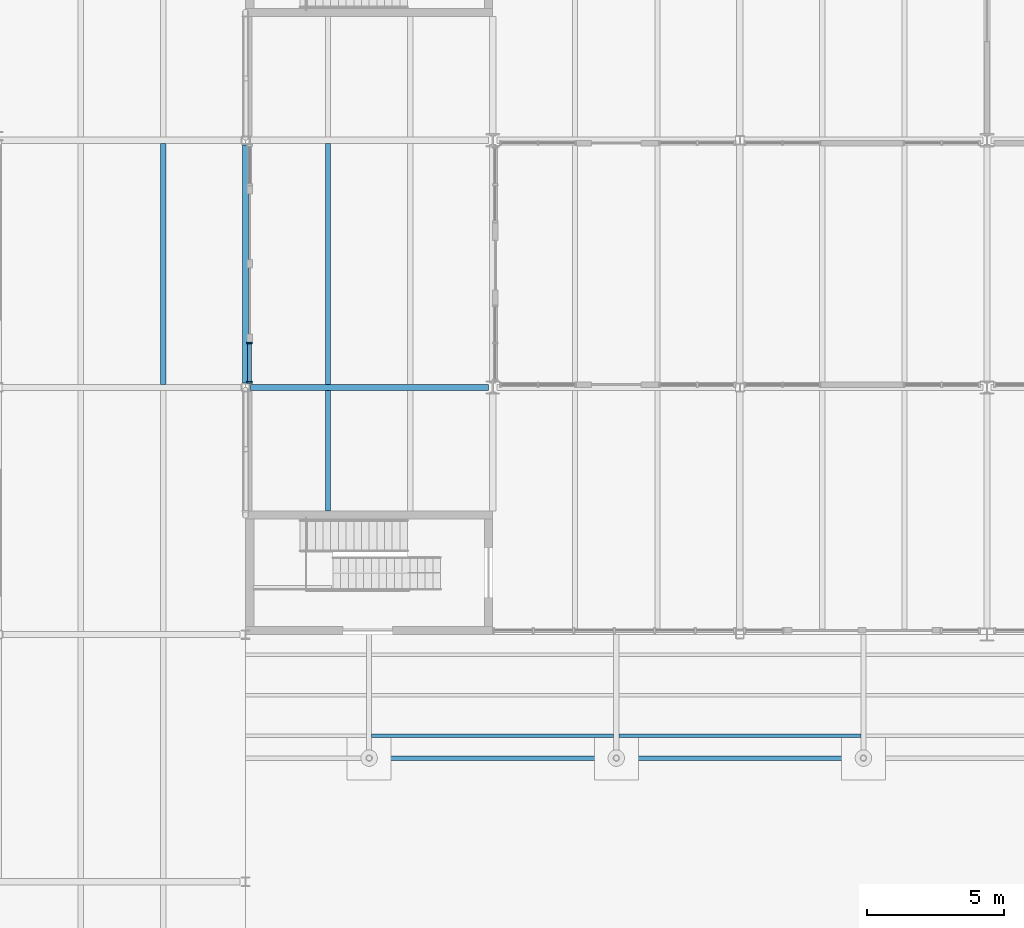
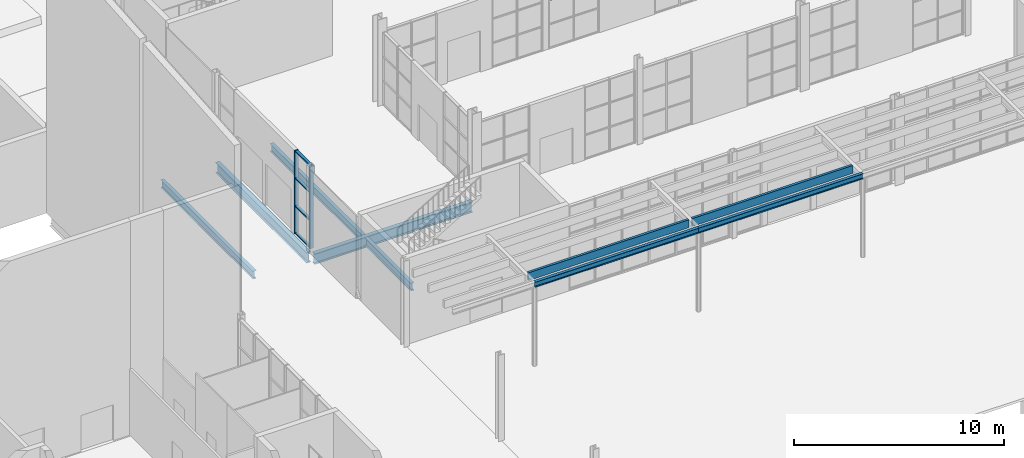
# One storey, part 12 of 63: 9 beams, 6 members, 1 element without a shape of its own.
"""IFC4 building model written with IfcOpenShell, lengths in metres."""

from ifc_helpers import new_model, si_unit, direction, frame, origin, origin_2d, place, context, subcontext, project, spatial, rectangle, i_section, extrude, material, layer, layer_set, material_profile, profile_set, type_object, element, aggregate, save


model = new_model("IFC4")

# Units and contexts
model_context = context("Model", 3, precision=1e-05, world=origin(), true_north=direction((0.0, 1.0)))
body_context = subcontext(model_context, "Body", "Model", "MODEL_VIEW")
ifc_project = project(units=[si_unit("LENGTHUNIT", "METRE"), si_unit("AREAUNIT", "SQUARE_METRE"), si_unit("VOLUMEUNIT", "CUBIC_METRE"), si_unit("PLANEANGLEUNIT", "RADIAN"), si_unit("MASSUNIT", "GRAM", prefix="KILO")], contexts=[model_context])

# Site, building, storey
site_placement = place(None, origin())
site = spatial("IfcSite", under=ifc_project, at=site_placement, CompositionType="ELEMENT")
building_placement = place(site_placement, origin())
building = spatial("IfcBuilding", under=site, at=building_placement, Name="Halyard Row Museum", CompositionType="ELEMENT")
storey_placement = place(building_placement, origin())
storey = spatial("IfcBuildingStorey", under=building, at=storey_placement, Name="L00", CompositionType="ELEMENT", Elevation=0.0)

# Beams
ifc_material_1 = material(Name="Steel Grade 300", Category="steel")
ifc_material_profile_1 = material_profile(ifc_material_1, i_section(OverallWidth=0.166015625, OverallDepth=0.30712890625, WebThickness=0.006591796875, FlangeThickness=0.01171875, FilletRadius=0.011474609375, at=origin_2d()), Name="310UB46.2")
ifc_profile_set_1 = profile_set([ifc_material_profile_1], Name="Steel Grade 300")
beam_type_1 = type_object("IfcBeamType", Name="Canopy edge beam 310UB46.2", PredefinedType="BEAM", material=ifc_profile_set_1)
for number, where, z_axis, x_axis, name in (
    (1, (31.5, 13.5, 4.6962890625), (1.0, 0.0, 0.0), (0.0, 1.0, 0.0), "Canopy edge beam 2"),
    (2, (40.5, 13.5, 4.6962890625), (1.0, 0.0, 0.0), (0.0, 1.0, 0.0), "Canopy edge beam 3"),
):
    element("IfcBeam", number, at=place(storey_placement, frame(where, z_axis=z_axis, x_axis=x_axis)), inside=storey, type_object=beam_type_1, Name=name, PredefinedType="BEAM", context=body_context, shape_type="SweptSolid", body=[
        extrude(i_section(OverallWidth=0.166015625, OverallDepth=0.30712890625, WebThickness=0.006591796875, FlangeThickness=0.01171875, FilletRadius=0.011474609375, at=origin_2d()), origin(), (0.0, 0.0, 1.0), 9.0),
    ])
ifc_material_2 = material(Name="Glulam GL12 radiata pine", Category="wood")
ifc_material_profile_2 = material_profile(ifc_material_2, rectangle(XDim=0.135009765625, YDim=0.449951171875, at=origin_2d()), Name="GL12 135x450")
ifc_profile_set_2 = profile_set([ifc_material_profile_2], Name="Glulam GL12 radiata pine")
beam_type_2 = type_object("IfcBeamType", Name="Canopy soffit joist GL12 135x450", PredefinedType="JOIST", material=ifc_profile_set_2)
for number, where, z_axis, x_axis, name in (
    (3, (31.594970703125, 14.319091796875, 4.625), (1.0, 0.0, 0.0), (0.0, 1.0, 0.0), "Canopy soffit joist 2.1"),
    (4, (40.594970703125, 14.319091796875, 4.625), (1.0, 0.0, 0.0), (0.0, 1.0, 0.0), "Canopy soffit joist 3.1"),
):
    element("IfcBeam", number, at=place(storey_placement, frame(where, z_axis=z_axis, x_axis=x_axis)), inside=storey, type_object=beam_type_2, Name=name, PredefinedType="JOIST", context=body_context, shape_type="SweptSolid", body=[
        extrude(rectangle(XDim=0.135009765625, YDim=0.449951171875, at=origin_2d()), origin(), (0.0, 0.0, 1.0), 8.81005859375),
    ])

# Curtain wall, members
ifc_material_3 = material(Name="Double glazed unit, low-emissivity", Category="glass")
ifc_layer = layer(ifc_material_3, 0.199951171875)
ifc_layer_set = layer_set([ifc_layer], Name="Double glazed unit, low-emissivity")
curtain_wall_type = type_object("IfcCurtainWallType", Name="Curtain wall shopfront 200 deep", PredefinedType="NOTDEFINED", material=ifc_layer_set)
curtain_wall_placement = place(storey_placement, origin())
curtain_wall = element("IfcCurtainWall", 5, at=curtain_wall_placement, inside=storey, type_object=curtain_wall_type, Name="Curtain wall CW012", PredefinedType="NOTDEFINED")
ifc_material_4 = material(Name="Powder-coated aluminium section", Category="aluminium")
ifc_material_profile_3 = material_profile(ifc_material_4, rectangle(XDim=0.199951171875, YDim=0.06494140625, at=origin_2d()), Name="200x65 mullion")
ifc_profile_set_3 = profile_set([ifc_material_profile_3], Name="Powder-coated aluminium section")
member_type_1 = type_object("IfcMemberType", Name="Curtain wall mullion CM1 65 x 200", PredefinedType="MULLION", material=ifc_profile_set_3)
member_1_placement = place(storey_placement, frame((27.14990234375, 28.617431640625, 0.0), z_axis=(0.0, 0.0, 1.0), x_axis=(1.0, 0.0, 0.0)))
member_1 = element("IfcMember", 6, at=member_1_placement, type_object=member_type_1, Name="CW012 mullion 1", PredefinedType="MULLION", context=body_context, shape_type="SweptSolid", body=[
    extrude(rectangle(XDim=0.199951171875, YDim=0.06494140625, at=origin_2d()), origin(), (0.0, 0.0, 1.0), 4.8349609375),
])
member_2_placement = place(storey_placement, frame((27.14990234375, 27.1826171875, 0.0), z_axis=(0.0, 0.0, 1.0), x_axis=(1.0, 0.0, 0.0)))
member_2 = element("IfcMember", 7, at=member_2_placement, type_object=member_type_1, Name="CW012 mullion 2", PredefinedType="MULLION", context=body_context, shape_type="SweptSolid", body=[
    extrude(rectangle(XDim=0.199951171875, YDim=0.06494140625, at=origin_2d()), origin(), (0.0, 0.0, 1.0), 4.8349609375),
])
ifc_material_5 = material(Name="Powder-coated aluminium section", Category="aluminium")
ifc_material_profile_4 = material_profile(ifc_material_5, rectangle(XDim=0.14990234375, YDim=0.06494140625, at=origin_2d()), Name="150x65 transom")
ifc_profile_set_4 = profile_set([ifc_material_profile_4], Name="Powder-coated aluminium section")
member_type_2 = type_object("IfcMemberType", Name="Curtain wall transom CT1 65 x 150", PredefinedType="USERDEFINED", material=ifc_profile_set_4)
member_3_placement = place(storey_placement, frame((27.14990234375, 28.5849609375, 0.032470703125), z_axis=(0.0, -1.0, 0.0), x_axis=(1.0, 0.0, 0.0)))
member_3 = element("IfcMember", 8, at=member_3_placement, type_object=member_type_2, Name="CW012 transom 1.1", ObjectType="TRANSOM", PredefinedType="USERDEFINED", context=body_context, shape_type="SweptSolid", body=[
    extrude(rectangle(XDim=0.14990234375, YDim=0.06494140625, at=origin_2d()), origin(), (0.0, 0.0, 1.0), 1.369873046875),
])
member_4_placement = place(storey_placement, frame((27.14990234375, 28.5849609375, 1.611572265625), z_axis=(0.0, -1.0, 0.0), x_axis=(1.0, 0.0, 0.0)))
member_4 = element("IfcMember", 9, at=member_4_placement, type_object=member_type_2, Name="CW012 transom 1.2", ObjectType="TRANSOM", PredefinedType="USERDEFINED", context=body_context, shape_type="SweptSolid", body=[
    extrude(rectangle(XDim=0.14990234375, YDim=0.06494140625, at=origin_2d()), origin(), (0.0, 0.0, 1.0), 1.369873046875),
])
member_5_placement = place(storey_placement, frame((27.14990234375, 28.5849609375, 3.223388671875), z_axis=(0.0, -1.0, 0.0), x_axis=(1.0, 0.0, 0.0)))
member_5 = element("IfcMember", 10, at=member_5_placement, type_object=member_type_2, Name="CW012 transom 1.3", ObjectType="TRANSOM", PredefinedType="USERDEFINED", context=body_context, shape_type="SweptSolid", body=[
    extrude(rectangle(XDim=0.14990234375, YDim=0.06494140625, at=origin_2d()), origin(), (0.0, 0.0, 1.0), 1.369873046875),
])
member_6_placement = place(storey_placement, frame((27.14990234375, 28.5849609375, 4.802490234375), z_axis=(0.0, -1.0, 0.0), x_axis=(1.0, 0.0, 0.0)))
member_6 = element("IfcMember", 11, at=member_6_placement, type_object=member_type_2, Name="CW012 transom 1.4", ObjectType="TRANSOM", PredefinedType="USERDEFINED", context=body_context, shape_type="SweptSolid", body=[
    extrude(rectangle(XDim=0.14990234375, YDim=0.06494140625, at=origin_2d()), origin(), (0.0, 0.0, 1.0), 1.369873046875),
])
aggregate(curtain_wall, [member_1, member_2, member_3, member_4, member_5, member_6])

# Beams
ifc_material_6 = material(Name="Steel Grade 300", Category="steel")
ifc_material_profile_5 = material_profile(ifc_material_6, i_section(OverallWidth=0.22900390625, OverallDepth=0.611572265625, WebThickness=0.011962890625, FlangeThickness=0.01953125, FilletRadius=0.013916015625, at=origin_2d()), Name="610UB125")
ifc_profile_set_5 = profile_set([ifc_material_profile_5], Name="Steel Grade 300")
beam_type_3 = type_object("IfcBeamType", Name="Girder beam 610UB125", PredefinedType="BEAM", material=ifc_profile_set_5)
beam_1_placement = place(storey_placement, frame((27.175048828125, 27.0, -0.470703125), z_axis=(1.0, 0.0, 0.0), x_axis=(0.0, 1.0, 0.0)))
element("IfcBeam", 12, at=beam_1_placement, inside=storey, type_object=beam_type_3, Name="Beam L00-015", PredefinedType="BEAM", context=body_context, shape_type="SweptSolid", body=[
    extrude(i_section(OverallWidth=0.22900390625, OverallDepth=0.611572265625, WebThickness=0.011962890625, FlangeThickness=0.01953125, FilletRadius=0.013916015625, at=origin_2d()), origin(), (0.0, 0.0, 1.0), 8.66943359375),
])
beam_2_placement = place(storey_placement, frame((27.0, 27.16943359375, -0.470703125), z_axis=(0.0, 1.0, 0.0), x_axis=(-1.0, 0.0, 0.0)))
element("IfcBeam", 13, at=beam_2_placement, inside=storey, type_object=beam_type_3, Name="Beam L00-045", PredefinedType="BEAM", context=body_context, shape_type="SweptSolid", body=[
    extrude(i_section(OverallWidth=0.22900390625, OverallDepth=0.611572265625, WebThickness=0.011962890625, FlangeThickness=0.01953125, FilletRadius=0.013916015625, at=origin_2d()), origin(), (0.0, 0.0, 1.0), 8.6611328125),
])
ifc_material_7 = material(Name="Steel Grade 300", Category="steel")
ifc_material_profile_6 = material_profile(ifc_material_7, i_section(OverallWidth=0.18994140625, OverallDepth=0.453857421875, WebThickness=0.008544921875, FlangeThickness=0.0126953125, FilletRadius=0.011474609375, at=origin_2d()), Name="460UB67.1")
ifc_profile_set_6 = profile_set([ifc_material_profile_6], Name="Steel Grade 300")
beam_type_4 = type_object("IfcBeamType", Name="Secondary beam 460UB67.1", PredefinedType="BEAM", material=ifc_profile_set_6)
beam_3_placement = place(storey_placement, frame((30.0, 22.5, -0.391845703125), z_axis=(0.0, 1.0, 0.0), x_axis=(-1.0, 0.0, 0.0)))
element("IfcBeam", 14, at=beam_3_placement, inside=storey, type_object=beam_type_4, Name="Beam L00-119", PredefinedType="BEAM", context=body_context, shape_type="SweptSolid", body=[
    extrude(i_section(OverallWidth=0.18994140625, OverallDepth=0.453857421875, WebThickness=0.008544921875, FlangeThickness=0.0126953125, FilletRadius=0.011474609375, at=origin_2d()), origin(), (0.0, 0.0, 1.0), 4.385498046875),
])
for number, where, z_axis, x_axis, name in (
    (15, (24.0, 27.114501953125, -0.391845703125), (0.0, 1.0, 0.0), (-1.0, 0.0, 0.0), "Beam L00-124"),
    (16, (30.0, 27.114501953125, -0.391845703125), (0.0, 1.0, 0.0), (-1.0, 0.0, 0.0), "Beam L00-125"),
):
    element("IfcBeam", number, at=place(storey_placement, frame(where, z_axis=z_axis, x_axis=x_axis)), inside=storey, type_object=beam_type_4, Name=name, PredefinedType="BEAM", context=body_context, shape_type="SweptSolid", body=[
        extrude(i_section(OverallWidth=0.18994140625, OverallDepth=0.453857421875, WebThickness=0.008544921875, FlangeThickness=0.0126953125, FilletRadius=0.011474609375, at=origin_2d()), origin(), (0.0, 0.0, 1.0), 8.77099609375),
    ])

save(model, "model.ifc")
